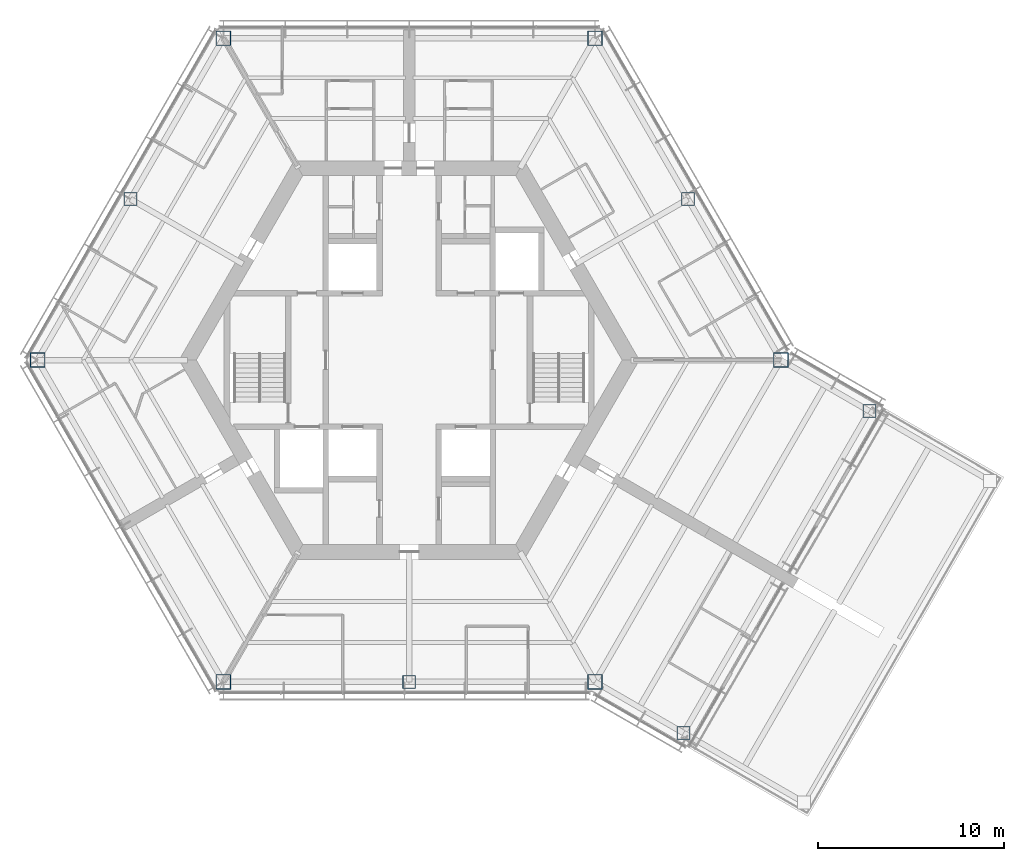
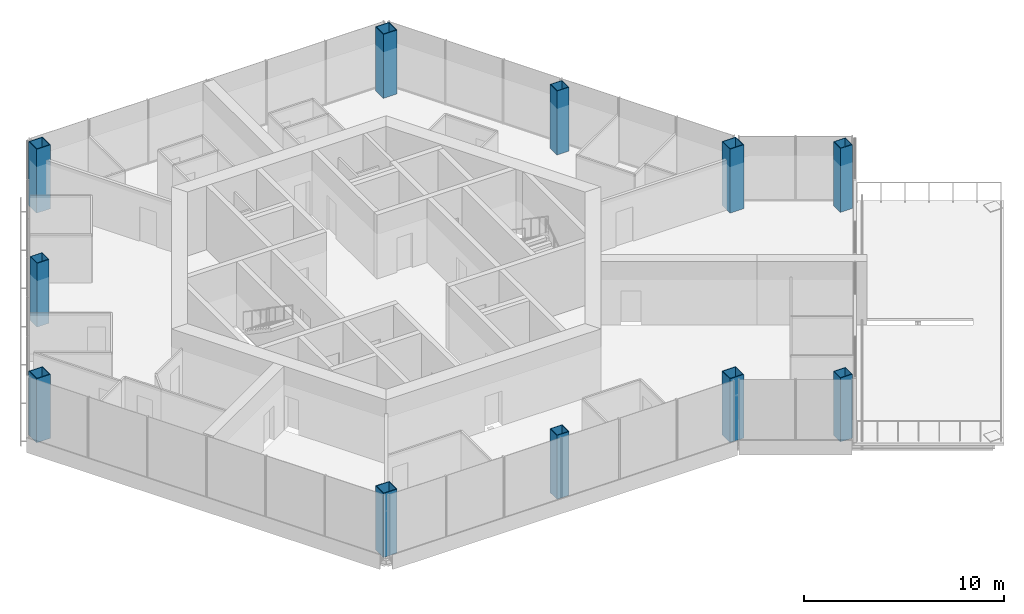
# One storey, part 1 of 13: 11 columns.
"""IFC4 building model written with IfcOpenShell, lengths in metres."""

from ifc_helpers import new_model, si_unit, direction, frame, origin, origin_2d, place, context, subcontext, project, spatial, hollow_rectangle, extrude, material, material_profile, profile_set, type_object, element, save


model = new_model("IFC4")

# Units and contexts
model_context = context("Model", 3, precision=1e-05, world=origin(), true_north=direction((0.0, 1.0)))
body_context = subcontext(model_context, "Body", "Model", "MODEL_VIEW")
ifc_project = project(units=[si_unit("LENGTHUNIT", "METRE"), si_unit("AREAUNIT", "SQUARE_METRE"), si_unit("VOLUMEUNIT", "CUBIC_METRE"), si_unit("PLANEANGLEUNIT", "RADIAN"), si_unit("MASSUNIT", "GRAM", prefix="KILO")], contexts=[model_context])

# Site, building, storey
site_placement = place(None, origin())
site = spatial("IfcSite", under=ifc_project, at=site_placement, CompositionType="ELEMENT")
building_placement = place(site_placement, origin())
building = spatial("IfcBuilding", under=site, at=building_placement, Name="Kasaneha Research Tower", CompositionType="ELEMENT")
storey_placement = place(building_placement, frame((0.0, 0.0, 267.39990234375)))
storey = spatial("IfcBuildingStorey", under=building, at=storey_placement, Name="L67", CompositionType="ELEMENT", Elevation=267.39990234375)

# Columns
ifc_material_1 = material(Name="Steel SN490C", Category="steel")
ifc_material_profile_1 = material_profile(ifc_material_1, hollow_rectangle(XDim=0.800048828125, YDim=0.800048828125, WallThickness=0.0400390625, at=origin_2d()), Name="BOX-800x800x40")
ifc_profile_set_1 = profile_set([ifc_material_profile_1], Name="Steel SN490C")
column_type_1 = type_object("IfcColumnType", Name="C4A column BOX-800x800x40", PredefinedType="COLUMN", material=ifc_profile_set_1)
for number, where, z_axis, x_axis, name in (
    (1, (20.0, 0.0, 0.0), (0.0, 0.0, 1.0), (1.0, 0.0, 0.0), "Column V0 L67"),
    (2, (10.0, 17.320556640625, 0.0), (0.0, 0.0, 1.0), (1.0, 0.0, 0.0), "Column V1 L67"),
    (3, (-10.0, 17.320556640625, 0.0), (0.0, 0.0, 1.0), (1.0, 0.0, 0.0), "Column V2 L67"),
    (4, (-20.0, 0.0, 0.0), (0.0, 0.0, 1.0), (1.0, 0.0, 0.0), "Column V3 L67"),
    (5, (-10.0, -17.320556640625, 0.0), (0.0, 0.0, 1.0), (1.0, 0.0, 0.0), "Column V4 L67"),
    (6, (10.0, -17.320556640625, 0.0), (0.0, 0.0, 1.0), (1.0, 0.0, 0.0), "Column V5 L67"),
):
    element("IfcColumn", number, at=place(storey_placement, frame(where, z_axis=z_axis, x_axis=x_axis)), inside=storey, type_object=column_type_1, Name=name, PredefinedType="COLUMN", context=body_context, shape_type="SweptSolid", body=[
        extrude(hollow_rectangle(XDim=0.800048828125, YDim=0.800048828125, WallThickness=0.0400390625, at=origin_2d()), origin(), (0.0, 0.0, 1.0), 3.900146484375),
    ])
ifc_material_2 = material(Name="Steel SN490C", Category="steel")
ifc_material_profile_2 = material_profile(ifc_material_2, hollow_rectangle(XDim=0.699951171875, YDim=0.699951171875, WallThickness=0.031982421875, at=origin_2d()), Name="BOX-700x700x32")
ifc_profile_set_2 = profile_set([ifc_material_profile_2], Name="Steel SN490C")
column_type_2 = type_object("IfcColumnType", Name="C4B column BOX-700x700x32", PredefinedType="COLUMN", material=ifc_profile_set_2)
for number, where, z_axis, x_axis, name in (
    (7, (15.0, 8.66015625, 0.0), (0.0, 0.0, 1.0), (1.0, 0.0, 0.0), "Column M030 L67"),
    (8, (-15.0, 8.66015625, 0.0), (0.0, 0.0, 1.0), (1.0, 0.0, 0.0), "Column M150 L67"),
    (9, (0.0, -17.320556640625, 0.0), (0.0, 0.0, 1.0), (1.0, 0.0, 0.0), "Column M270 L67"),
    (10, (14.76318359375, -20.070556640625, 0.0), (0.0, 0.0, 1.0), (1.0, 0.0, 0.0), "Column CSP L67"),
    (11, (24.76318359375, -2.75, 0.0), (0.0, 0.0, 1.0), (1.0, 0.0, 0.0), "Column CSN L67"),
):
    element("IfcColumn", number, at=place(storey_placement, frame(where, z_axis=z_axis, x_axis=x_axis)), inside=storey, type_object=column_type_2, Name=name, PredefinedType="COLUMN", context=body_context, shape_type="SweptSolid", body=[
        extrude(hollow_rectangle(XDim=0.699951171875, YDim=0.699951171875, WallThickness=0.031982421875, at=origin_2d()), origin(), (0.0, 0.0, 1.0), 3.900146484375),
    ])

save(model, "model.ifc")
